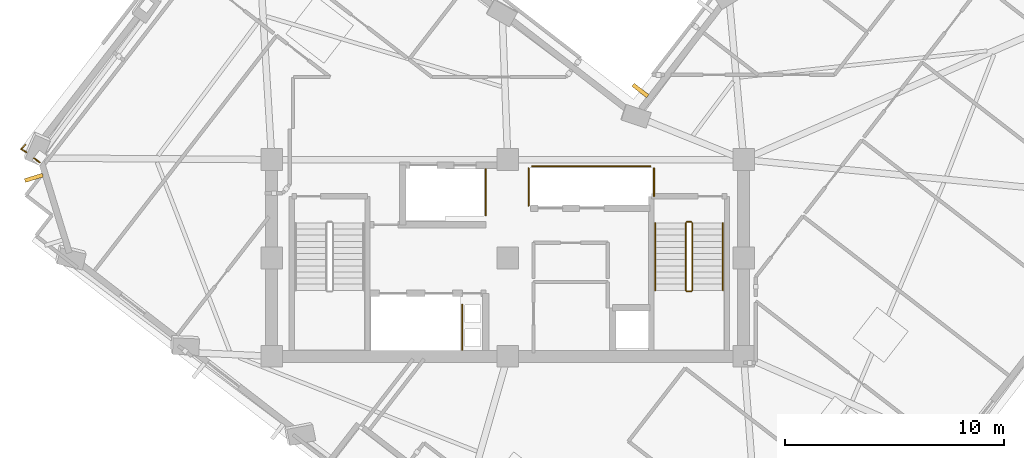
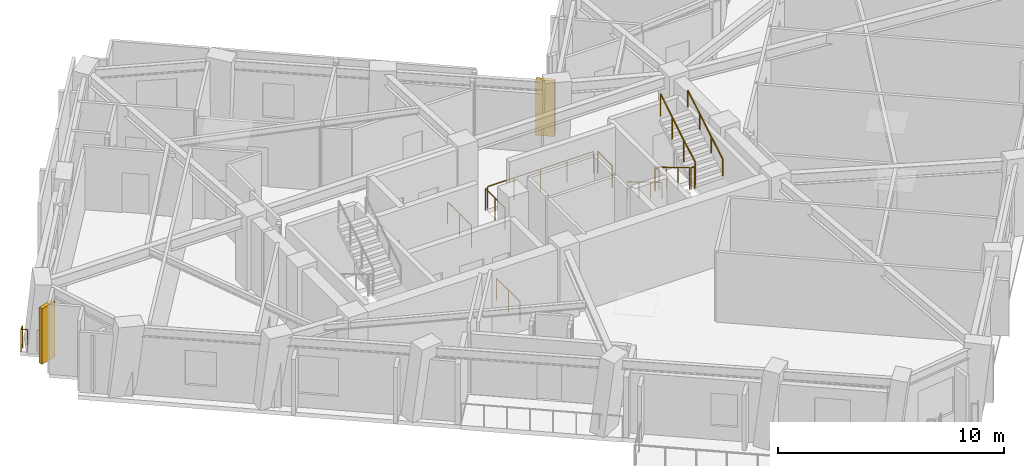
# One storey, part 9 of 12: 13 railings, 2 shading devices.
"""IFC4 building model written with IfcOpenShell, lengths in metres."""

from ifc_helpers import new_model, si_unit, direction, frame, origin, origin_2d, place, context, subcontext, project, spatial, rectangle, circle, extrude, material, layer, layer_set, type_object, element, save


model = new_model("IFC4")

# Units and contexts
model_context = context("Model", 3, precision=1e-05, world=origin(), true_north=direction((0.0, 1.0)))
body_context = subcontext(model_context, "Body", "Model", "MODEL_VIEW")
ifc_project = project(units=[si_unit("LENGTHUNIT", "METRE"), si_unit("AREAUNIT", "SQUARE_METRE"), si_unit("VOLUMEUNIT", "CUBIC_METRE"), si_unit("PLANEANGLEUNIT", "RADIAN"), si_unit("MASSUNIT", "GRAM", prefix="KILO")], contexts=[model_context])

# Site, building, storey
site_placement = place(None, origin())
site = spatial("IfcSite", under=ifc_project, at=site_placement, CompositionType="ELEMENT")
building_placement = place(site_placement, origin())
building = spatial("IfcBuilding", under=site, at=building_placement, Name="Gaonmaruhae Medical Tower", CompositionType="ELEMENT")
storey_placement = place(building_placement, frame((0.0, 0.0, 247.199951171875)))
storey = spatial("IfcBuildingStorey", under=building, at=storey_placement, Name="L59", CompositionType="ELEMENT", Elevation=247.199951171875)

# Railings
ifc_material_1 = material(Name="Stainless steel 316L and laminated safety glass", Category="steel")
ifc_layer = layer(ifc_material_1, 0.080078125)
ifc_layer_set = layer_set([ifc_layer], Name="Stainless steel 316L and laminated safety glass")
railing_type_1 = type_object("IfcRailingType", Name="GD-120 Outdoor Terrace Safety Glass & Steel Balustrade", PredefinedType="BALUSTRADE", material=ifc_layer_set)
railing_1_placement = place(storey_placement, frame((3.377685546875, 16.67138671875, 0.0)))
element("IfcRailing", 1, at=railing_1_placement, inside=storey, type_object=railing_type_1, Name="L59 Perimeter Slab Edge Safety Balustrade 01", PredefinedType="BALUSTRADE", context=body_context, shape_type="SweptSolid", body=[
    extrude(circle(Radius=0.02392578125, at=origin_2d()), frame((0.0, 0.0, 1.17578125), z_axis=(-0.790758718323, 0.612127968154, 0.0), x_axis=(-0.612127968154, -0.790758718323, 0.0)), (0.0, 0.0, 1.0), 0.32666015625),
    extrude(circle(Radius=0.02099609375, at=origin_2d()), origin(), (0.0, 0.0, 1.0), 1.15185546875),
    extrude(circle(Radius=0.02099609375, at=origin_2d()), frame((-0.25830078125, 0.199951171875, 0.0)), (0.0, 0.0, 1.0), 1.15185546875),
])
railing_2_placement = place(storey_placement, frame((2.776611328125, 17.136474609375, 0.0)))
element("IfcRailing", 2, at=railing_2_placement, inside=storey, type_object=railing_type_1, Name="L59 Perimeter Corner Safety Balustrade 15", PredefinedType="BALUSTRADE", context=body_context, shape_type="SweptSolid", body=[
    extrude(circle(Radius=0.02392578125, at=origin_2d()), frame((0.0, 0.0, 1.17578125), z_axis=(-0.859586356423, 0.510990504659, 0.0), x_axis=(-0.510990504659, -0.859586356423, 0.0)), (0.0, 0.0, 1.0), 0.287109375),
    extrude(circle(Radius=0.02392578125, at=origin_2d()), frame((-0.246826171875, 0.146728515625, 1.17578125), z_axis=(0.704127737066, 0.710073327125, 0.0), x_axis=(-0.710073327125, 0.704127737066, 0.0)), (0.0, 0.0, 1.0), 0.287353515625),
    extrude(circle(Radius=0.02099609375, at=origin_2d()), origin(), (0.0, 0.0, 1.0), 1.15185546875),
    extrude(circle(Radius=0.02099609375, at=origin_2d()), frame((-0.246826171875, 0.146728515625, 0.0)), (0.0, 0.0, 1.0), 1.15185546875),
    extrude(circle(Radius=0.02099609375, at=origin_2d()), frame((-0.04443359375, 0.350830078125, 0.0)), (0.0, 0.0, 1.0), 1.15185546875),
])
ifc_material_2 = material(Name="Stainless steel 304 handrail", Category="steel")
railing_type_2 = type_object("IfcRailingType", Name="HR-092 Continuous Stainless Steel Stair Handrail", PredefinedType="HANDRAIL", material=ifc_material_2)
railing_3_placement = place(storey_placement, frame((31.550048828125, 13.89990234375, 0.166748046875)))
element("IfcRailing", 3, at=railing_3_placement, inside=storey, type_object=railing_type_2, Name="L59 ST-02 stair handrail 1", PredefinedType="HANDRAIL", context=body_context, shape_type="SweptSolid", body=[
    extrude(circle(Radius=0.02392578125, at=origin_2d()), frame((0.0, 0.0, 0.8759765625), z_axis=(0.0, -0.859290745958, 0.51148745235), x_axis=(1.0, 0.0, 0.0)), (0.0, 0.0, 1.0), 3.584228515625),
    extrude(circle(Radius=0.02099609375, at=origin_2d()), origin(), (0.0, 0.0, 1.0), 0.851806640625),
    extrude(circle(Radius=0.02099609375, at=origin_2d()), frame((0.0, -1.026611328125, 0.611083984375)), (0.0, 0.0, 1.0), 0.851806640625),
    extrude(circle(Radius=0.02099609375, at=origin_2d()), frame((0.0, -2.05322265625, 1.22216796875)), (0.0, 0.0, 1.0), 0.851806640625),
    extrude(circle(Radius=0.02099609375, at=origin_2d()), frame((0.0, -3.079833984375, 1.833251953125)), (0.0, 0.0, 1.0), 0.851806640625),
])
railing_4_placement = place(storey_placement, frame((34.64990234375, 10.820068359375, 2.166748046875)))
element("IfcRailing", 4, at=railing_4_placement, inside=storey, type_object=railing_type_2, Name="L59 ST-02 stair handrail 2", PredefinedType="HANDRAIL", context=body_context, shape_type="SweptSolid", body=[
    extrude(circle(Radius=0.02392578125, at=origin_2d()), frame((0.0, 0.0, 0.8759765625), z_axis=(0.0, 0.859290745958, 0.51148745235), x_axis=(-1.0, 0.0, 0.0)), (0.0, 0.0, 1.0), 3.584228515625),
    extrude(circle(Radius=0.02099609375, at=origin_2d()), origin(), (0.0, 0.0, 1.0), 0.851806640625),
    extrude(circle(Radius=0.02099609375, at=origin_2d()), frame((0.0, 1.026611328125, 0.611083984375)), (0.0, 0.0, 1.0), 0.851806640625),
    extrude(circle(Radius=0.02099609375, at=origin_2d()), frame((0.0, 2.05322265625, 1.22216796875)), (0.0, 0.0, 1.0), 0.851806640625),
    extrude(circle(Radius=0.02099609375, at=origin_2d()), frame((0.0, 3.079833984375, 1.833251953125)), (0.0, 0.0, 1.0), 0.851806640625),
])

# Shading devices
ifc_material_3 = material(Name="Pigmented coral precast concrete C45/55", Category="concrete")
shading_device_type = type_object("IfcShadingDeviceType", Name="SD-FIN1 Tower Vertical Coral Precast Shading Fin", PredefinedType="USERDEFINED", material=ifc_material_3)
for number, where, z_axis, x_axis, name in (
    (5, (30.87255859375, 19.962646484375, 0.132568359375), (0.0, 0.0, 1.0), (0.612217280034, 0.790689573744, 0.0), "L59 Vertical Coral Precast Shading Fin EN02"),
    (6, (3.11376953125, 15.966796875, 0.132568359375), (0.0, 0.0, 1.0), (-0.292922448198, 0.956136203342, 0.0), "L59 Vertical Coral Precast Shading Fin N03B"),
):
    element("IfcShadingDevice", number, at=place(storey_placement, frame(where, z_axis=z_axis, x_axis=x_axis)), inside=storey, type_object=shading_device_type, Name=name, ObjectType="FIN", PredefinedType="USERDEFINED", context=body_context, shape_type="SweptSolid", body=[
        extrude(rectangle(XDim=0.179931640625, YDim=0.85009765625, at=origin_2d()), origin(), (0.0, 0.0, 1.0), 3.0),
    ])

# Railings
ifc_material_4 = material(Name="Stainless steel 304 balustrade", Category="steel")
railing_type_3 = type_object("IfcRailingType", Name="SG-112 Stair Well & Ramp Void Safety Balustrade", PredefinedType="BALUSTRADE", material=ifc_material_4)
railing_5_placement = place(storey_placement, frame((32.949951171875, 13.89990234375, 0.166748046875)))
element("IfcRailing", 7, at=railing_5_placement, inside=storey, type_object=railing_type_3, Name="L59 ST-02 stair guard 1", PredefinedType="BALUSTRADE", context=body_context, shape_type="SweptSolid", body=[
    extrude(circle(Radius=0.02392578125, at=origin_2d()), frame((0.0, 0.0, 1.17578125), z_axis=(0.0, -0.859290745958, 0.51148745235), x_axis=(1.0, 0.0, 0.0)), (0.0, 0.0, 1.0), 3.584228515625),
    extrude(circle(Radius=0.02099609375, at=origin_2d()), origin(), (0.0, 0.0, 1.0), 1.15185546875),
    extrude(circle(Radius=0.02099609375, at=origin_2d()), frame((0.0, -1.026611328125, 0.611083984375)), (0.0, 0.0, 1.0), 1.15185546875),
    extrude(circle(Radius=0.02099609375, at=origin_2d()), frame((0.0, -2.05322265625, 1.22216796875)), (0.0, 0.0, 1.0), 1.15185546875),
    extrude(circle(Radius=0.02099609375, at=origin_2d()), frame((0.0, -3.079833984375, 1.833251953125)), (0.0, 0.0, 1.0), 1.15185546875),
])
railing_6_placement = place(storey_placement, frame((33.0, 10.77001953125, 2.0)))
element("IfcRailing", 8, at=railing_6_placement, inside=storey, type_object=railing_type_3, Name="L59 ST-02 stair guard 2", PredefinedType="BALUSTRADE", context=body_context, shape_type="SweptSolid", body=[
    extrude(circle(Radius=0.02392578125, at=origin_2d()), frame((0.0, 0.0, 1.17578125), z_axis=(1.0, 0.0, 0.0), x_axis=(0.0, 1.0, 0.0)), (0.0, 0.0, 1.0), 0.199951171875),
    extrude(circle(Radius=0.02099609375, at=origin_2d()), origin(), (0.0, 0.0, 1.0), 1.15185546875),
    extrude(circle(Radius=0.02099609375, at=origin_2d()), frame((0.199951171875, 0.0, 0.0)), (0.0, 0.0, 1.0), 1.15185546875),
])
railing_7_placement = place(storey_placement, frame((33.25, 10.820068359375, 2.166748046875)))
element("IfcRailing", 9, at=railing_7_placement, inside=storey, type_object=railing_type_3, Name="L59 ST-02 stair guard 3", PredefinedType="BALUSTRADE", context=body_context, shape_type="SweptSolid", body=[
    extrude(circle(Radius=0.02392578125, at=origin_2d()), frame((0.0, 0.0, 1.17578125), z_axis=(0.0, 0.859290745958, 0.51148745235), x_axis=(-1.0, 0.0, 0.0)), (0.0, 0.0, 1.0), 3.584228515625),
    extrude(circle(Radius=0.02099609375, at=origin_2d()), origin(), (0.0, 0.0, 1.0), 1.15185546875),
    extrude(circle(Radius=0.02099609375, at=origin_2d()), frame((0.0, 1.026611328125, 0.611083984375)), (0.0, 0.0, 1.0), 1.15185546875),
    extrude(circle(Radius=0.02099609375, at=origin_2d()), frame((0.0, 2.05322265625, 1.22216796875)), (0.0, 0.0, 1.0), 1.15185546875),
    extrude(circle(Radius=0.02099609375, at=origin_2d()), frame((0.0, 3.079833984375, 1.833251953125)), (0.0, 0.0, 1.0), 1.15185546875),
])
railing_8_placement = place(storey_placement, frame((33.0, 13.949951171875, 0.0)))
element("IfcRailing", 10, at=railing_8_placement, inside=storey, type_object=railing_type_3, Name="L59 ST-02 stair guard 4", PredefinedType="BALUSTRADE", context=body_context, shape_type="SweptSolid", body=[
    extrude(circle(Radius=0.02392578125, at=origin_2d()), frame((0.0, 0.0, 1.17578125), z_axis=(1.0, 0.0, 0.0), x_axis=(0.0, 1.0, 0.0)), (0.0, 0.0, 1.0), 0.199951171875),
    extrude(circle(Radius=0.02099609375, at=origin_2d()), origin(), (0.0, 0.0, 1.0), 1.15185546875),
    extrude(circle(Radius=0.02099609375, at=origin_2d()), frame((0.199951171875, 0.0, 0.0)), (0.0, 0.0, 1.0), 1.15185546875),
])
railing_9_placement = place(storey_placement, frame((22.719970703125, 10.159912109375, 0.0)))
element("IfcRailing", 11, at=railing_9_placement, inside=storey, type_object=railing_type_3, Name="L59 Shaft Edge Safety Guard 18", PredefinedType="BALUSTRADE", context=body_context, shape_type="SweptSolid", body=[
    extrude(circle(Radius=0.02392578125, at=origin_2d()), frame((0.0, 0.0, 1.17578125), z_axis=(0.0, -1.0, 0.0), x_axis=(1.0, 0.0, 0.0)), (0.0, 0.0, 1.0), 2.06494140625),
    extrude(circle(Radius=0.02099609375, at=origin_2d()), origin(), (0.0, 0.0, 1.0), 1.15185546875),
    extrude(circle(Radius=0.02099609375, at=origin_2d()), frame((0.0, -1.032470703125, 0.0)), (0.0, 0.0, 1.0), 1.15185546875),
    extrude(circle(Radius=0.02099609375, at=origin_2d()), frame((0.0, -2.06494140625, 0.0)), (0.0, 0.0, 1.0), 1.15185546875),
])
railing_10_placement = place(storey_placement, frame((23.794921875, 16.35498046875, 0.0)))
element("IfcRailing", 12, at=railing_10_placement, inside=storey, type_object=railing_type_3, Name="L59 Shaft Edge Safety Guard 19", PredefinedType="BALUSTRADE", context=body_context, shape_type="SweptSolid", body=[
    extrude(circle(Radius=0.02392578125, at=origin_2d()), frame((0.0, 0.0, 1.17578125), z_axis=(0.0, -1.0, 0.0), x_axis=(1.0, 0.0, 0.0)), (0.0, 0.0, 1.0), 2.10986328125),
    extrude(circle(Radius=0.02099609375, at=origin_2d()), origin(), (0.0, 0.0, 1.0), 1.15185546875),
    extrude(circle(Radius=0.02099609375, at=origin_2d()), frame((0.0, -1.054931640625, 0.0)), (0.0, 0.0, 1.0), 1.15185546875),
    extrude(circle(Radius=0.02099609375, at=origin_2d()), frame((0.0, -2.10986328125, 0.0)), (0.0, 0.0, 1.0), 1.15185546875),
])
railing_11_placement = place(storey_placement, frame((31.4951171875, 16.405029296875, 0.0)))
element("IfcRailing", 13, at=railing_11_placement, inside=storey, type_object=railing_type_3, Name="L59 Shaft Edge Safety Guard 20", PredefinedType="BALUSTRADE", context=body_context, shape_type="SweptSolid", body=[
    extrude(circle(Radius=0.02392578125, at=origin_2d()), frame((0.0, 0.0, 1.17578125), z_axis=(0.0, -1.0, 0.0), x_axis=(1.0, 0.0, 0.0)), (0.0, 0.0, 1.0), 1.284912109375),
    extrude(circle(Radius=0.02099609375, at=origin_2d()), origin(), (0.0, 0.0, 1.0), 1.15185546875),
    extrude(circle(Radius=0.02099609375, at=origin_2d()), frame((0.0, -1.284912109375, 0.0)), (0.0, 0.0, 1.0), 1.15185546875),
])
railing_12_placement = place(storey_placement, frame((25.7548828125, 14.695068359375, 0.0)))
element("IfcRailing", 14, at=railing_12_placement, inside=storey, type_object=railing_type_3, Name="L59 Shaft Edge Safety Guard 21", PredefinedType="BALUSTRADE", context=body_context, shape_type="SweptSolid", body=[
    extrude(circle(Radius=0.02392578125, at=origin_2d()), frame((0.0, 0.0, 1.17578125), z_axis=(0.0, 1.0, 0.0), x_axis=(-1.0, 0.0, 0.0)), (0.0, 0.0, 1.0), 1.7099609375),
    extrude(circle(Radius=0.02099609375, at=origin_2d()), origin(), (0.0, 0.0, 1.0), 1.15185546875),
    extrude(circle(Radius=0.02099609375, at=origin_2d()), frame((0.0, 0.85498046875, 0.0)), (0.0, 0.0, 1.0), 1.15185546875),
    extrude(circle(Radius=0.02099609375, at=origin_2d()), frame((0.0, 1.7099609375, 0.0)), (0.0, 0.0, 1.0), 1.15185546875),
])
railing_13_placement = place(storey_placement, frame((25.919921875, 16.4951171875, 0.0)))
element("IfcRailing", 15, at=railing_13_placement, inside=storey, type_object=railing_type_3, Name="L59 Shaft Edge Safety Guard 22", PredefinedType="BALUSTRADE", context=body_context, shape_type="SweptSolid", body=[
    extrude(circle(Radius=0.02392578125, at=origin_2d()), frame((0.0, 0.0, 1.17578125), z_axis=(1.0, 0.0, 0.0), x_axis=(0.0, 1.0, 0.0)), (0.0, 0.0, 1.0), 5.41015625),
    extrude(circle(Radius=0.02099609375, at=origin_2d()), origin(), (0.0, 0.0, 1.0), 1.15185546875),
    extrude(circle(Radius=0.02099609375, at=origin_2d()), frame((1.3525390625, 0.0, 0.0)), (0.0, 0.0, 1.0), 1.15185546875),
    extrude(circle(Radius=0.02099609375, at=origin_2d()), frame((2.705078125, 0.0, 0.0)), (0.0, 0.0, 1.0), 1.15185546875),
    extrude(circle(Radius=0.02099609375, at=origin_2d()), frame((4.0576171875, 0.0, 0.0)), (0.0, 0.0, 1.0), 1.15185546875),
    extrude(circle(Radius=0.02099609375, at=origin_2d()), frame((5.41015625, 0.0, 0.0)), (0.0, 0.0, 1.0), 1.15185546875),
])

save(model, "model.ifc")
